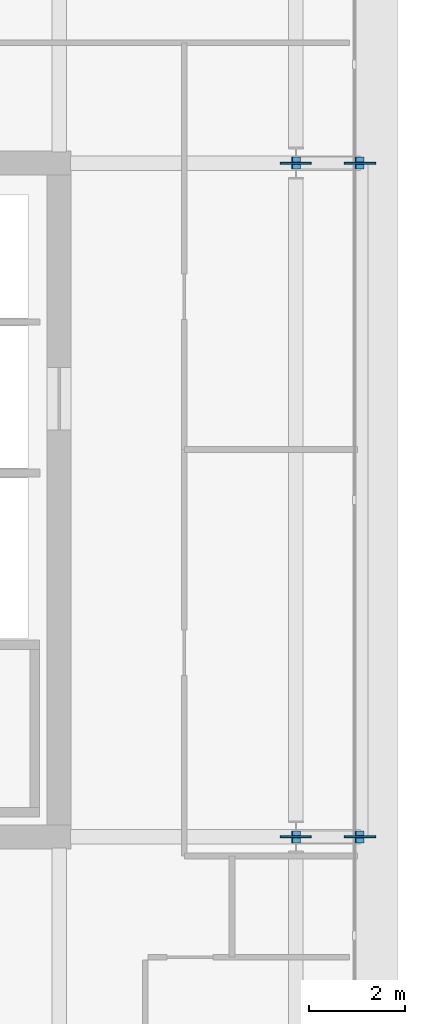
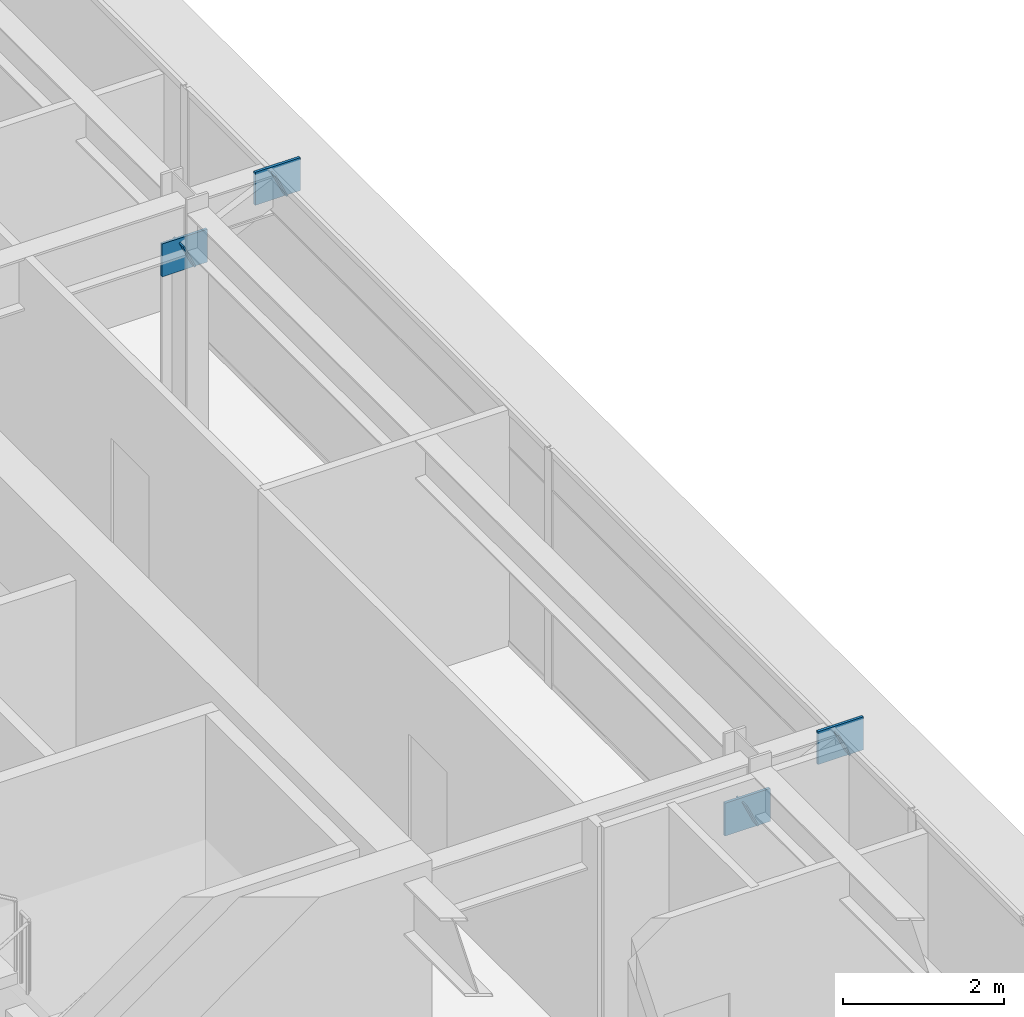
# One storey, part 11 of 19: 8 plates.
"""IFC4 building model written with IfcOpenShell, lengths in metres."""

from ifc_helpers import new_model, si_unit, direction, frame, origin, origin_2d, place, context, subcontext, project, spatial, rectangle, extrude, material, layer, layer_set, type_object, element, save


model = new_model("IFC4")

# Units and contexts
model_context = context("Model", 3, precision=1e-05, world=origin(), true_north=direction((0.0, 1.0)))
body_context = subcontext(model_context, "Body", "Model", "MODEL_VIEW")
ifc_project = project(units=[si_unit("LENGTHUNIT", "METRE"), si_unit("AREAUNIT", "SQUARE_METRE"), si_unit("VOLUMEUNIT", "CUBIC_METRE"), si_unit("PLANEANGLEUNIT", "RADIAN"), si_unit("MASSUNIT", "GRAM", prefix="KILO")], contexts=[model_context])

# Site, building, storey
site_placement = place(None, origin())
site = spatial("IfcSite", under=ifc_project, at=site_placement, CompositionType="ELEMENT")
building_placement = place(site_placement, origin())
building = spatial("IfcBuilding", under=site, at=building_placement, Name="Putna Gate Headquarters", CompositionType="ELEMENT")
storey_placement = place(building_placement, frame((0.0, 0.0, 267.0)))
storey = spatial("IfcBuildingStorey", under=building, at=storey_placement, Name="L67", CompositionType="ELEMENT", Elevation=267.0)

# Plates
ifc_material_1 = material(Name="Steel S355J2", Category="steel")
ifc_layer_1 = layer(ifc_material_1, 0.02001953125)
ifc_layer_set_1 = layer_set([ifc_layer_1], Name="Steel S355J2")
plate_type_1 = type_object("IfcPlateType", Name="PLT-CAP-EC-R400", PredefinedType="SHEET", material=ifc_layer_set_1)
for number, where, z_axis, x_axis, name in (
    (1, (69.9150390625, 19.0, 2.75), (0.908676843963, 0.0, 0.417500171551), (0.0, 1.0, 0.0), "L67 East Sail Cantilever Raker Y19 End Cap Start"),
    (2, (71.234619140625, 19.0, 3.359619140625), (0.908676843963, 0.0, 0.417500171551), (0.0, 1.0, 0.0), "L67 East Sail Cantilever Raker Y19 End Cap End"),
    (3, (69.9150390625, 33.0, 2.75), (0.908676843963, 0.0, 0.417500171551), (0.0, 1.0, 0.0), "L67 East Sail Cantilever Raker Y33 End Cap Start"),
    (4, (71.234619140625, 33.0, 3.359619140625), (0.908676843963, 0.0, 0.417500171551), (0.0, 1.0, 0.0), "L67 East Sail Cantilever Raker Y33 End Cap End"),
):
    element("IfcPlate", number, at=place(storey_placement, frame(where, z_axis=z_axis, x_axis=x_axis)), inside=storey, type_object=plate_type_1, Name=name, PredefinedType="SHEET", context=body_context, shape_type="SweptSolid", body=[
        extrude(rectangle(XDim=0.25, YDim=0.39990234375, at=origin_2d()), origin(), (0.0, 0.0, 1.0), 0.019775390625),
    ])
ifc_material_2 = material(Name="Steel S460M", Category="steel")
ifc_layer_2 = layer(ifc_material_2, 0.0380859375)
ifc_layer_set_2 = layer_set([ifc_layer_2], Name="Steel S460M")
plate_type_2 = type_object("IfcPlateType", Name="PLT-NODE-TN1", PredefinedType="SHEET", material=ifc_layer_set_2)
for number, where, z_axis, x_axis, name in (
    (5, (69.9150390625, 19.0, 2.5), (0.0, 0.0, 1.0), (1.0, 0.0, 0.0), "L67 Sail Raker Node Plate TN1 Y19-1"),
    (6, (71.252685546875, 19.0, 3.117919921875), (0.0, 0.0, 1.0), (1.0, 0.0, 0.0), "L67 Sail Raker Node Plate TN1 Y19-2"),
    (7, (69.9150390625, 33.0, 2.5), (0.0, 0.0, 1.0), (1.0, 0.0, 0.0), "L67 Sail Raker Node Plate TN1 Y33-1"),
    (8, (71.252685546875, 33.0, 3.117919921875), (0.0, 0.0, 1.0), (1.0, 0.0, 0.0), "L67 Sail Raker Node Plate TN1 Y33-2"),
):
    element("IfcPlate", number, at=place(storey_placement, frame(where, z_axis=z_axis, x_axis=x_axis)), inside=storey, type_object=plate_type_2, Name=name, PredefinedType="SHEET", context=body_context, shape_type="SweptSolid", body=[
        extrude(rectangle(XDim=0.64990234375, YDim=0.0380859375, at=origin_2d()), origin(), (0.0, 0.0, 1.0), 0.5),
    ])

save(model, "model.ifc")
